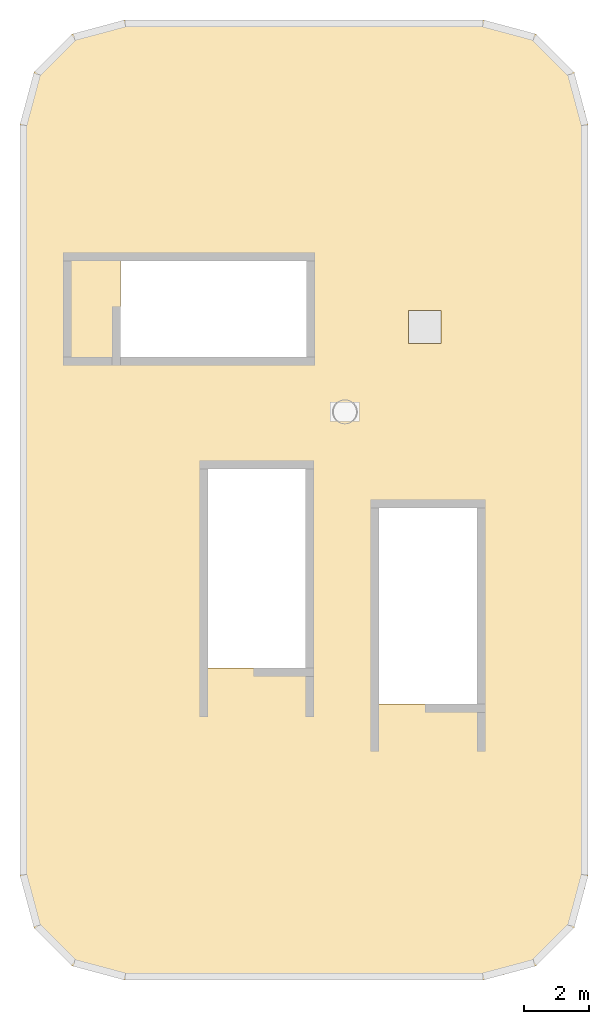
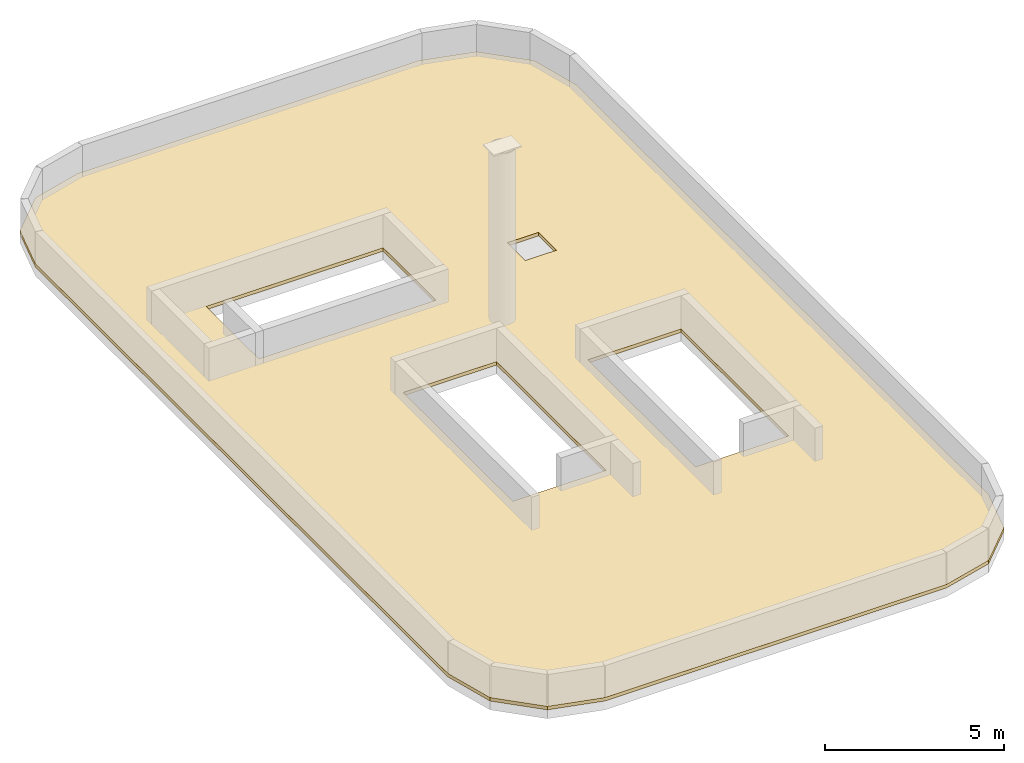
# One storey, part 2 of 2: 1 covering.
"""IFC4 building model written with IfcOpenShell, lengths in metres."""

from ifc_helpers import new_model, si_unit, direction, frame, origin, place, context, subcontext, project, spatial, polyline, outline, extrude, material, layer, layer_set, type_object, element, save


model = new_model("IFC4")

# Units and contexts
model_context = context("Model", 3, precision=1e-05, world=origin(), true_north=direction((0.0, 1.0)))
body_context = subcontext(model_context, "Body", "Model", "MODEL_VIEW")
ifc_project = project(units=[si_unit("LENGTHUNIT", "METRE"), si_unit("AREAUNIT", "SQUARE_METRE"), si_unit("VOLUMEUNIT", "CUBIC_METRE"), si_unit("PLANEANGLEUNIT", "RADIAN"), si_unit("MASSUNIT", "GRAM", prefix="KILO")], contexts=[model_context])

# Site, building, storey
site_placement = place(None, origin())
site = spatial("IfcSite", under=ifc_project, at=site_placement, CompositionType="ELEMENT")
building_placement = place(site_placement, origin())
building = spatial("IfcBuilding", under=site, at=building_placement, Name="Kiyonajd Concourse Tower", CompositionType="ELEMENT")
storey_placement = place(building_placement, frame((0.0, 0.0, 377.10009765625)))
storey = spatial("IfcBuildingStorey", under=building, at=storey_placement, Name="ROOF", CompositionType="ELEMENT", Elevation=377.10009765625)

# Covering
ifc_material = material(Name="Engineered Hinoki Wood-Effect Architectural Tile", Category="wood")
ifc_layer = layer(ifc_material, 0.1201171875)
ifc_layer_set = layer_set([ifc_layer], Name="Engineered Hinoki Wood-Effect Architectural Tile")
covering_type = type_object("IfcCoveringType", Name="CV-ROOF-MEMB", PredefinedType="ROOFING", material=ifc_layer_set)
covering_placement = place(storey_placement, origin())
element("IfcCovering", 1, at=covering_placement, inside=storey, type_object=covering_type, Name="ROOF Insulated Roof Membrane Covering", PredefinedType="ROOFING", context=body_context, shape_type="SweptSolid", body=[
    extrude(outline(polyline([(53.39990234375, 24.199951171875), (53.8291015625, 22.60009765625), (55.0, 21.428955078125), (56.60009765625, 21.0), (67.60009765625, 21.0), (69.199951171875, 21.428955078125), (70.37109375, 22.60009765625), (70.800048828125, 24.199951171875), (70.800048828125, 47.199951171875), (70.37109375, 48.800048828125), (69.199951171875, 49.970947265625), (67.60009765625, 50.39990234375), (56.60009765625, 50.39990234375), (55.0, 49.970947265625), (53.8291015625, 48.800048828125), (53.39990234375, 47.199951171875), (53.39990234375, 24.199951171875)]), holes=[polyline([(59.14990234375, 30.550048828125), (59.14990234375, 36.64990234375), (62.14990234375, 36.64990234375), (62.14990234375, 30.550048828125), (59.14990234375, 30.550048828125)]), polyline([(56.47998046875, 43.02001953125), (62.179931640625, 43.02001953125), (62.179931640625, 40.080078125), (56.47998046875, 40.080078125), (56.47998046875, 43.02001953125)]), polyline([(64.39990234375, 29.449951171875), (64.39990234375, 35.449951171875), (67.39990234375, 35.449951171875), (67.39990234375, 29.449951171875), (64.39990234375, 29.449951171875)]), polyline([(65.300048828125, 40.5), (66.300048828125, 40.5), (66.300048828125, 41.5), (65.300048828125, 41.5), (65.300048828125, 40.5)])]), origin(), (0.0, 0.0, 1.0), 0.119873046875),
])

save(model, "model.ifc")
